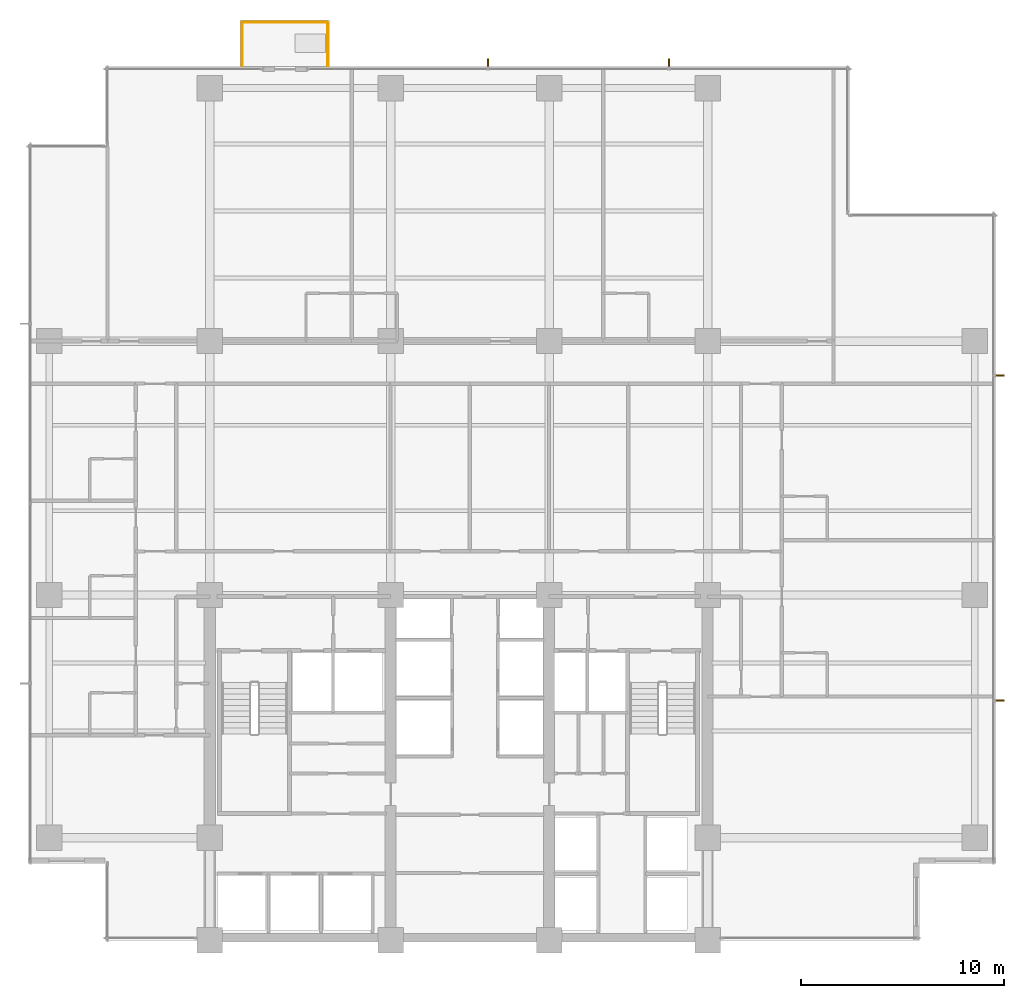
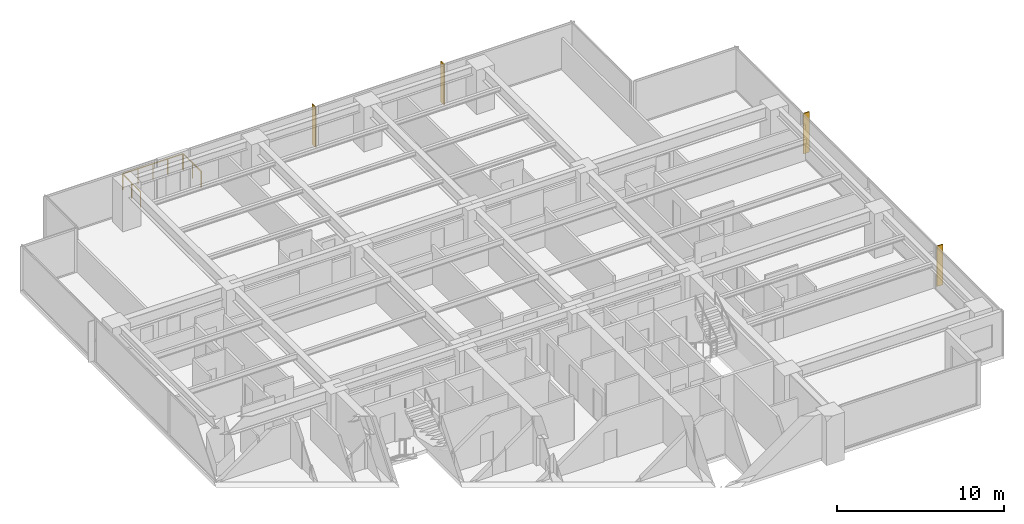
# One storey, part 17 of 17: 4 shading devices, 3 railings.
"""IFC4 building model written with IfcOpenShell, lengths in metres."""

from ifc_helpers import new_model, si_unit, direction, frame, origin, origin_2d, place, context, subcontext, project, spatial, polyline, circle, outline, extrude, material, layer, layer_set, type_object, element, save


model = new_model("IFC4")

# Units and contexts
model_context = context("Model", 3, precision=1e-05, world=origin(), true_north=direction((0.0, 1.0)))
body_context = subcontext(model_context, "Body", "Model", "MODEL_VIEW")
ifc_project = project(units=[si_unit("LENGTHUNIT", "METRE"), si_unit("AREAUNIT", "SQUARE_METRE"), si_unit("VOLUMEUNIT", "CUBIC_METRE"), si_unit("PLANEANGLEUNIT", "RADIAN"), si_unit("MASSUNIT", "GRAM", prefix="KILO")], contexts=[model_context])

# Site, building, storey
site_placement = place(None, origin())
site = spatial("IfcSite", under=ifc_project, at=site_placement, CompositionType="ELEMENT")
building_placement = place(site_placement, origin())
building = spatial("IfcBuilding", under=site, at=building_placement, Name="Qalmaran Belvedere Hotel", CompositionType="ELEMENT")
storey_placement = place(building_placement, frame((0.0, 0.0, 119.699951171875)))
storey = spatial("IfcBuildingStorey", under=building, at=storey_placement, Name="L30", CompositionType="ELEMENT", Elevation=119.699951171875)

# Shading devices
ifc_material = material(Name="Anodised Bronze Aluminium", Category="aluminium")
ifc_layer = layer(ifc_material, 0.06494140625, Name="Anodised Bronze Aluminium")
ifc_layer_set = layer_set([ifc_layer], Name="Anodised Bronze Aluminium")
shading_device_type = type_object("IfcShadingDeviceType", Name="FIN-BRNZ-420", PredefinedType="USERDEFINED", material=ifc_layer_set)
shading_device_1_placement = place(storey_placement, frame((0.0, 0.0, 0.16015625)))
element("IfcShadingDevice", 1, at=shading_device_1_placement, inside=storey, type_object=shading_device_type, Name="L30 Bronze Fin 1", ObjectType="FIN", PredefinedType="USERDEFINED", context=body_context, shape_type="SweptSolid", body=[
    extrude(outline(polyline([(58.969970703125, 15.267578125), (59.389892578125, 15.267578125), (59.389892578125, 15.33251953125), (58.969970703125, 15.33251953125), (58.969970703125, 15.267578125)])), origin(), (0.0, 0.0, 1.0), 2.9599609375),
])
shading_device_2_placement = place(storey_placement, frame((0.0, 0.0, 0.16015625)))
element("IfcShadingDevice", 2, at=shading_device_2_placement, inside=storey, type_object=shading_device_type, Name="L30 Bronze Fin 3", ObjectType="FIN", PredefinedType="USERDEFINED", context=body_context, shape_type="SweptSolid", body=[
    extrude(outline(polyline([(58.969970703125, 31.267578125), (59.389892578125, 31.267578125), (59.389892578125, 31.33251953125), (58.969970703125, 31.33251953125), (58.969970703125, 31.267578125)])), origin(), (0.0, 0.0, 1.0), 2.9599609375),
])
shading_device_3_placement = place(storey_placement, frame((0.0, 0.0, 0.16015625)))
element("IfcShadingDevice", 3, at=shading_device_3_placement, inside=storey, type_object=shading_device_type, Name="L30 Bronze Fin 1", ObjectType="FIN", PredefinedType="USERDEFINED", context=body_context, shape_type="SweptSolid", body=[
    extrude(outline(polyline([(42.9326171875, 46.469970703125), (42.9326171875, 46.889892578125), (42.867431640625, 46.889892578125), (42.867431640625, 46.469970703125), (42.9326171875, 46.469970703125)])), origin(), (0.0, 0.0, 1.0), 2.9599609375),
])
shading_device_4_placement = place(storey_placement, frame((0.0, 0.0, 0.16015625)))
element("IfcShadingDevice", 4, at=shading_device_4_placement, inside=storey, type_object=shading_device_type, Name="L30 Bronze Fin 2", ObjectType="FIN", PredefinedType="USERDEFINED", context=body_context, shape_type="SweptSolid", body=[
    extrude(outline(polyline([(34.032470703125, 46.469970703125), (34.032470703125, 46.889892578125), (33.967529296875, 46.889892578125), (33.967529296875, 46.469970703125), (34.032470703125, 46.469970703125)])), origin(), (0.0, 0.0, 1.0), 2.9599609375),
])

# Railings
railing_type = type_object("IfcRailingType", Name="GRD-BAL-1150", PredefinedType="BALUSTRADE", material=ifc_material)
railing_1_placement = place(storey_placement, frame((21.89990234375, 46.534912109375, 0.0)))
element("IfcRailing", 5, at=railing_1_placement, inside=storey, type_object=railing_type, Name="L30 Guardrail BAL-L30-N-1", PredefinedType="BALUSTRADE", context=body_context, shape_type="SweptSolid", body=[
    extrude(circle(Radius=0.02392578125, at=origin_2d()), frame((0.0, 0.0, 1.1259765625), z_axis=(0.0, 1.0, 0.0), x_axis=(-1.0, 0.0, 0.0)), (0.0, 0.0, 1.0), 2.130126953125),
    extrude(circle(Radius=0.02099609375, at=origin_2d()), origin(), (0.0, 0.0, 1.0), 1.101806640625),
    extrude(circle(Radius=0.02099609375, at=origin_2d()), frame((0.0, 1.06494140625, 0.0)), (0.0, 0.0, 1.0), 1.101806640625),
    extrude(circle(Radius=0.02099609375, at=origin_2d()), frame((0.0, 2.130126953125, 0.0)), (0.0, 0.0, 1.0), 1.101806640625),
])
railing_2_placement = place(storey_placement, frame((21.93505859375, 48.699951171875, 0.0)))
element("IfcRailing", 6, at=railing_2_placement, inside=storey, type_object=railing_type, Name="L30 Guardrail BAL-L30-N-2", PredefinedType="BALUSTRADE", context=body_context, shape_type="SweptSolid", body=[
    extrude(circle(Radius=0.02392578125, at=origin_2d()), frame((0.0, 0.0, 1.1259765625), z_axis=(1.0, 0.0, 0.0), x_axis=(0.0, 1.0, 0.0)), (0.0, 0.0, 1.0), 4.1298828125),
    extrude(circle(Radius=0.02099609375, at=origin_2d()), origin(), (0.0, 0.0, 1.0), 1.101806640625),
    extrude(circle(Radius=0.02099609375, at=origin_2d()), frame((1.032470703125, 0.0, 0.0)), (0.0, 0.0, 1.0), 1.101806640625),
    extrude(circle(Radius=0.02099609375, at=origin_2d()), frame((2.06494140625, 0.0, 0.0)), (0.0, 0.0, 1.0), 1.101806640625),
    extrude(circle(Radius=0.02099609375, at=origin_2d()), frame((3.097412109375, 0.0, 0.0)), (0.0, 0.0, 1.0), 1.101806640625),
    extrude(circle(Radius=0.02099609375, at=origin_2d()), frame((4.1298828125, 0.0, 0.0)), (0.0, 0.0, 1.0), 1.101806640625),
])
railing_3_placement = place(storey_placement, frame((26.10009765625, 48.6650390625, 0.0)))
element("IfcRailing", 7, at=railing_3_placement, inside=storey, type_object=railing_type, Name="L30 Guardrail BAL-L30-N-3", PredefinedType="BALUSTRADE", context=body_context, shape_type="SweptSolid", body=[
    extrude(circle(Radius=0.02392578125, at=origin_2d()), frame((0.0, 0.0, 1.1259765625), z_axis=(0.0, -1.0, 0.0), x_axis=(1.0, 0.0, 0.0)), (0.0, 0.0, 1.0), 2.130126953125),
    extrude(circle(Radius=0.02099609375, at=origin_2d()), origin(), (0.0, 0.0, 1.0), 1.101806640625),
    extrude(circle(Radius=0.02099609375, at=origin_2d()), frame((0.0, -1.06494140625, 0.0)), (0.0, 0.0, 1.0), 1.101806640625),
    extrude(circle(Radius=0.02099609375, at=origin_2d()), frame((0.0, -2.130126953125, 0.0)), (0.0, 0.0, 1.0), 1.101806640625),
])

save(model, "model.ifc")
